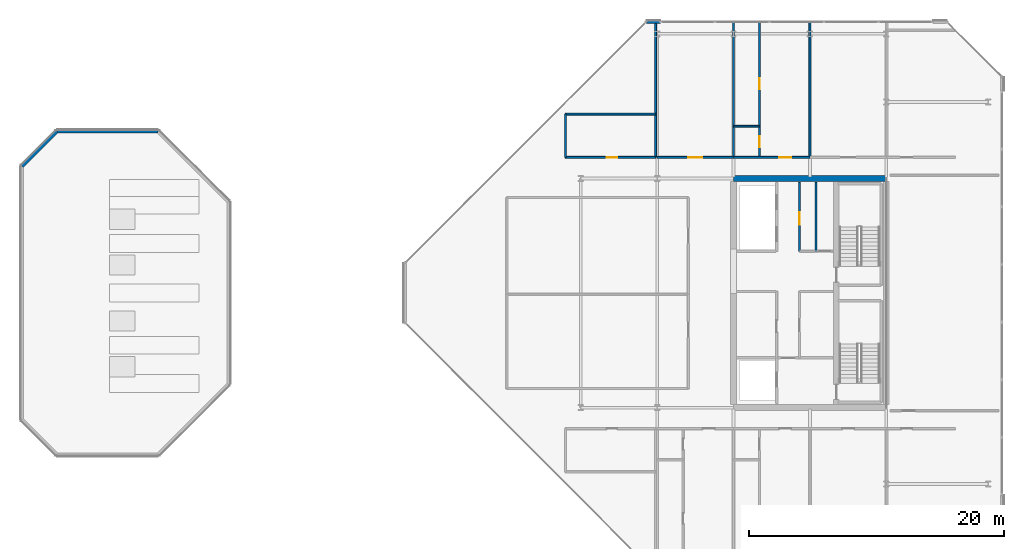
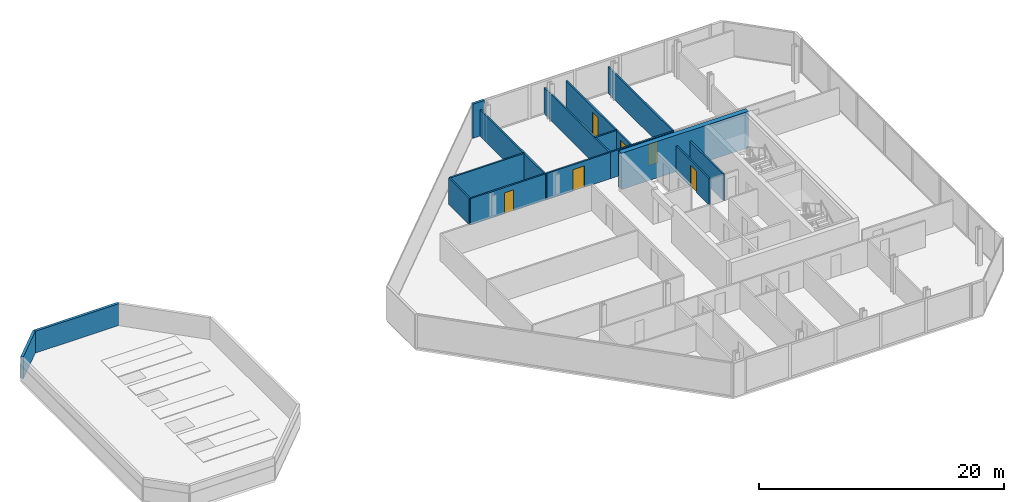
# One storey, part 16 of 19: 16 walls, 6 doors, 6 openings.
"""IFC4 building model written with IfcOpenShell, lengths in metres."""

from ifc_helpers import new_model, si_unit, direction, frame, frame_2d, origin, place, context, subcontext, project, spatial, rectangle, extrude, material, layer, layer_set, type_object, element, fill, save


model = new_model("IFC4")

# Units and contexts
model_context = context("Model", 3, precision=1e-05, world=origin(), true_north=direction((0.0, 1.0)))
body_context = subcontext(model_context, "Body", "Model", "MODEL_VIEW")
ifc_project = project(units=[si_unit("LENGTHUNIT", "METRE"), si_unit("AREAUNIT", "SQUARE_METRE"), si_unit("VOLUMEUNIT", "CUBIC_METRE"), si_unit("PLANEANGLEUNIT", "RADIAN"), si_unit("MASSUNIT", "GRAM", prefix="KILO")], contexts=[model_context])

# Site, building, storey
site_placement = place(None, origin())
site = spatial("IfcSite", under=ifc_project, at=site_placement, CompositionType="ELEMENT")
building_placement = place(site_placement, origin())
building = spatial("IfcBuilding", under=site, at=building_placement, Name="Tanjung Sevakor Pilgrim Tower", CompositionType="ELEMENT")
storey_placement = place(building_placement, frame((0.0, 0.0, 260.699951171875)))
storey = spatial("IfcBuildingStorey", under=building, at=storey_placement, Name="L73", CompositionType="ELEMENT", Elevation=260.699951171875)

# Walls
ifc_material_1 = material(Name="Concrete C60/75", Category="concrete")
ifc_layer_1 = layer(ifc_material_1, 0.449951171875)
ifc_layer_set_1 = layer_set([ifc_layer_1], Name="WALL-CW-450")
wall_type_1 = type_object("IfcWallType", Name="WALL-CW-450", PredefinedType="SHEAR", material=ifc_layer_set_1)
wall_1_placement = place(storey_placement, frame((90.0, 42.60009765625, 0.0), z_axis=(0.0, 0.0, 1.0), x_axis=(-1.0, 0.0, 0.0)))
element("IfcWall", 1, at=wall_1_placement, inside=storey, type_object=wall_type_1, Name="L73 E Core North Shear Wall", PredefinedType="SHEAR", context=body_context, shape_type="SweptSolid", body=[
    extrude(rectangle(XDim=12.0, YDim=0.449951171875, at=frame_2d((6.0, 0.0))), origin(), (0.0, 0.0, 1.0), 3.630126953125),
])
ifc_material_2 = material(Name="Concrete C40/50", Category="concrete")
ifc_layer_2 = layer(ifc_material_2, 0.14990234375)
ifc_layer_set_2 = layer_set([ifc_layer_2], Name="WT-COMP-150")
wall_type_2 = type_object("IfcWallType", Name="WT-COMP-150", PredefinedType="SOLIDWALL", material=ifc_layer_set_2)
wall_2_placement = place(storey_placement, frame((84.47998046875, 36.8798828125, 0.0), z_axis=(0.0, 0.0, 1.0), x_axis=(0.0, 1.0, 0.0)))
element("IfcWall", 2, at=wall_2_placement, inside=storey, type_object=wall_type_2, Name="L73 Partition IW-L73-007", PredefinedType="SOLIDWALL", context=body_context, shape_type="SweptSolid", body=[
    extrude(rectangle(XDim=5.420166015625, YDim=0.14990234375, at=frame_2d((2.7099609375, 0.0))), origin(), (0.0, 0.0, 1.0), 2.6298828125),
])

# Wall, opening, door
wall_3_placement = place(storey_placement, frame((83.179931640625, 36.8798828125, 0.0), z_axis=(0.0, 0.0, 1.0), x_axis=(0.0, 1.0, 0.0)))
wall_3 = element("IfcWall", 3, at=wall_3_placement, inside=storey, type_object=wall_type_2, Name="L73 Partition IW-L73-010", PredefinedType="SOLIDWALL", context=body_context, shape_type="SweptSolid", body=[
    extrude(rectangle(XDim=5.420166015625, YDim=0.14990234375, at=frame_2d((2.7099609375, 0.0))), origin(), (0.0, 0.0, 1.0), 2.6298828125),
])
opening_1_placement = place(wall_3_placement, frame((2.10009765625, 0.0, 0.0)))
opening_1 = element("IfcOpeningElement", 4, at=opening_1_placement, cuts=wall_3, Name="Opening ID-FD2", PredefinedType="OPENING", context=body_context, shape_type="SweptSolid", body=[
    extrude(rectangle(XDim=0.949951171875, YDim=2.14990234375, at=frame_2d((0.47509765625, 1.074951171875))), frame((0.0, 0.0849609375, 0.0), z_axis=(0.0, -1.0, 0.0), x_axis=(1.0, 0.0, 0.0)), (0.0, 0.0, 1.0), 0.169921875),
])
ifc_material_3 = material(Name="Fire-Rated Timber", Category="wood")
door_type_1 = type_object("IfcDoorType", Name="DT-FIRE-950", OperationType="NOTDEFINED", PredefinedType="DOOR", material=ifc_material_3)
door_1_placement = place(opening_1_placement, origin())
door_1 = element("IfcDoor", 5, at=door_1_placement, inside=storey, type_object=door_type_1, Name="L73 Core Reading Room Door", OperationType="SINGLE_SWING_RIGHT", OverallHeight=2.14990234375, OverallWidth=0.949951171875, PredefinedType="DOOR", context=body_context, shape_type="SweptSolid", body=[
    extrude(rectangle(XDim=0.949951171875, YDim=2.14990234375, at=frame_2d((0.47509765625, 1.074951171875))), frame((0.0, 0.02490234375, 0.0), z_axis=(0.0, -1.0, 0.0), x_axis=(1.0, 0.0, 0.0)), (0.0, 0.0, 1.0), 0.050048828125),
])
fill(opening_1, door_1)

wall_4_placement = place(storey_placement, frame((64.800048828125, 44.25, 0.0), z_axis=(0.0, 0.0, 1.0), x_axis=(1.0, 0.0, 0.0)))
wall_4 = element("IfcWall", 6, at=wall_4_placement, inside=storey, type_object=wall_type_2, Name="L73 Partition IW-L73-017", PredefinedType="SOLIDWALL", context=body_context, shape_type="SweptSolid", body=[
    extrude(rectangle(XDim=7.079833984375, YDim=0.14990234375, at=frame_2d((3.5400390625, 0.0))), origin(), (0.0, 0.0, 1.0), 2.6298828125),
])
opening_2_placement = place(wall_4_placement, frame((3.22509765625, 0.0, 0.0)))
opening_2 = element("IfcOpeningElement", 7, at=opening_2_placement, cuts=wall_4, Name="Opening ID-WC1", PredefinedType="OPENING", context=body_context, shape_type="SweptSolid", body=[
    extrude(rectangle(XDim=0.85009765625, YDim=2.10009765625, at=frame_2d((0.425048828125, 1.050048828125))), frame((0.0, 0.0849609375, 0.0), z_axis=(0.0, -1.0, 0.0), x_axis=(1.0, 0.0, 0.0)), (0.0, 0.0, 1.0), 0.169921875),
])
ifc_material_4 = material(Name="Moisture-Resistant Timber", Category="wood")
door_type_2 = type_object("IfcDoorType", Name="DT-INT-850", OperationType="NOTDEFINED", PredefinedType="DOOR", material=ifc_material_4)
door_2_placement = place(opening_2_placement, origin())
door_2 = element("IfcDoor", 8, at=door_2_placement, inside=storey, type_object=door_type_2, Name="L73 NW Crown Library Door", OperationType="SINGLE_SWING_RIGHT", OverallHeight=2.10009765625, OverallWidth=0.85009765625, PredefinedType="DOOR", context=body_context, shape_type="SweptSolid", body=[
    extrude(rectangle(XDim=0.85009765625, YDim=2.10009765625, at=frame_2d((0.425048828125, 1.050048828125))), frame((0.0, 0.02490234375, 0.0), z_axis=(0.0, -1.0, 0.0), x_axis=(1.0, 0.0, 0.0)), (0.0, 0.0, 1.0), 0.050048828125),
])
fill(opening_2, door_2)

# Walls
wall_5_placement = place(storey_placement, frame((64.800048828125, 47.64990234375, 0.0), z_axis=(0.0, 0.0, 1.0), x_axis=(1.0, 0.0, 0.0)))
element("IfcWall", 9, at=wall_5_placement, inside=storey, type_object=wall_type_2, Name="L73 Partition IW-L73-018", PredefinedType="SOLIDWALL", context=body_context, shape_type="SweptSolid", body=[
    extrude(rectangle(XDim=7.079833984375, YDim=0.14990234375, at=frame_2d((3.5400390625, 0.0))), origin(), (0.0, 0.0, 1.0), 2.6298828125),
])
wall_6_placement = place(storey_placement, frame((64.800048828125, 44.25, 0.0), z_axis=(0.0, 0.0, 1.0), x_axis=(0.0, 1.0, 0.0)))
element("IfcWall", 10, at=wall_6_placement, inside=storey, type_object=wall_type_2, Name="L73 Partition IW-L73-019", PredefinedType="SOLIDWALL", context=body_context, shape_type="SweptSolid", body=[
    extrude(rectangle(XDim=3.39990234375, YDim=0.14990234375, at=frame_2d((1.699951171875, 0.0))), origin(), (0.0, 0.0, 1.0), 2.6298828125),
])
for number, where, z_axis, x_axis, name in (
    (11, (71.8798828125, 44.25, 0.0), (0.0, 0.0, 1.0), (0.0, 1.0, 0.0), "L73 Partition IW-L73-020"),
    (12, (78.0, 44.25, 0.0), (0.0, 0.0, 1.0), (0.0, 1.0, 0.0), "L73 Partition IW-L73-038"),
):
    element("IfcWall", number, at=place(storey_placement, frame(where, z_axis=z_axis, x_axis=x_axis)), inside=storey, type_object=wall_type_2, Name=name, PredefinedType="SOLIDWALL", context=body_context, shape_type="SweptSolid", body=[
        extrude(rectangle(XDim=10.610107421875, YDim=0.14990234375, at=frame_2d((5.30517578125, 0.0))), origin(), (0.0, 0.0, 1.0), 2.6298828125),
    ])

# Wall, opening, door
wall_7_placement = place(storey_placement, frame((72.0, 44.25, 0.0), z_axis=(0.0, 0.0, 1.0), x_axis=(1.0, 0.0, 0.0)))
wall_7 = element("IfcWall", 13, at=wall_7_placement, inside=storey, type_object=wall_type_2, Name="L73 Partition IW-L73-039", PredefinedType="SOLIDWALL", context=body_context, shape_type="SweptSolid", body=[
    extrude(rectangle(XDim=6.0, YDim=0.14990234375, at=frame_2d((3.0, 0.0))), origin(), (0.0, 0.0, 1.0), 2.6298828125),
])
opening_3_placement = place(wall_7_placement, frame((2.449951171875, 0.0, 0.0)))
opening_3 = element("IfcOpeningElement", 14, at=opening_3_placement, cuts=wall_7, Name="Opening ID-FD0", PredefinedType="OPENING", context=body_context, shape_type="SweptSolid", body=[
    extrude(rectangle(XDim=1.10009765625, YDim=2.14990234375, at=frame_2d((0.550048828125, 1.074951171875))), frame((0.0, 0.0849609375, 0.0), z_axis=(0.0, -1.0, 0.0), x_axis=(1.0, 0.0, 0.0)), (0.0, 0.0, 1.0), 0.169921875),
])
ifc_material_5 = material(Name="Fire-Rated Steel S355J2", Category="steel")
door_type_3 = type_object("IfcDoorType", Name="DT-FIRE-1100", OperationType="NOTDEFINED", PredefinedType="DOOR", material=ifc_material_5)
door_3_placement = place(opening_3_placement, origin())
door_3 = element("IfcDoor", 15, at=door_3_placement, inside=storey, type_object=door_type_3, Name="Observatory Door", OperationType="SINGLE_SWING_LEFT", OverallHeight=2.14990234375, OverallWidth=1.10009765625, PredefinedType="DOOR", context=body_context, shape_type="SweptSolid", body=[
    extrude(rectangle(XDim=1.10009765625, YDim=2.14990234375, at=frame_2d((0.550048828125, 1.074951171875))), frame((0.0, 0.02490234375, 0.0), z_axis=(0.0, -1.0, 0.0), x_axis=(1.0, 0.0, 0.0)), (0.0, 0.0, 1.0), 0.050048828125),
])
fill(opening_3, door_3)

# Wall
wall_8_placement = place(storey_placement, frame((84.0, 44.25, 0.0), z_axis=(0.0, 0.0, 1.0), x_axis=(0.0, 1.0, 0.0)))
element("IfcWall", 16, at=wall_8_placement, inside=storey, type_object=wall_type_2, Name="L73 Partition IW-L73-040", PredefinedType="SOLIDWALL", context=body_context, shape_type="SweptSolid", body=[
    extrude(rectangle(XDim=10.610107421875, YDim=0.14990234375, at=frame_2d((5.30517578125, 0.0))), origin(), (0.0, 0.0, 1.0), 2.6298828125),
])

# Wall, opening, door
wall_9_placement = place(storey_placement, frame((78.0, 44.25, 0.0), z_axis=(0.0, 0.0, 1.0), x_axis=(1.0, 0.0, 0.0)))
wall_9 = element("IfcWall", 17, at=wall_9_placement, inside=storey, type_object=wall_type_2, Name="L73 Partition IW-L73-043", PredefinedType="SOLIDWALL", context=body_context, shape_type="SweptSolid", body=[
    extrude(rectangle(XDim=6.0, YDim=0.14990234375, at=frame_2d((3.0, 0.0))), origin(), (0.0, 0.0, 1.0), 2.6298828125),
])
opening_4_placement = place(wall_9_placement, frame((3.5849609375, 0.0, 0.0)))
opening_4 = element("IfcOpeningElement", 18, at=opening_4_placement, cuts=wall_9, Name="Opening ID-FD2", PredefinedType="OPENING", context=body_context, shape_type="SweptSolid", body=[
    extrude(rectangle(XDim=0.949951171875, YDim=2.14990234375, at=frame_2d((0.47509765625, 1.074951171875))), frame((0.0, 0.0849609375, 0.0), z_axis=(0.0, -1.0, 0.0), x_axis=(1.0, 0.0, 0.0)), (0.0, 0.0, 1.0), 0.169921875),
])
door_4_placement = place(opening_4_placement, origin())
door_4 = element("IfcDoor", 19, at=door_4_placement, inside=storey, type_object=door_type_1, Name="Hotel Guestroom Entrance", OperationType="SINGLE_SWING_RIGHT", OverallHeight=2.14990234375, OverallWidth=0.949951171875, PredefinedType="DOOR", context=body_context, shape_type="SweptSolid", body=[
    extrude(rectangle(XDim=0.949951171875, YDim=2.14990234375, at=frame_2d((0.47509765625, 1.074951171875))), frame((0.0, 0.02490234375, 0.0), z_axis=(0.0, -1.0, 0.0), x_axis=(1.0, 0.0, 0.0)), (0.0, 0.0, 1.0), 0.050048828125),
])
fill(opening_4, door_4)

# Walls
ifc_material_6 = material(Name="Precast concrete C45/55", Category="concrete")
ifc_layer_3 = layer(ifc_material_6, 0.239990234375)
ifc_layer_set_3 = layer_set([ifc_layer_3], Name="WT-EW-PAR1")
wall_type_3 = type_object("IfcWallType", Name="WT-EW-PAR1", PredefinedType="PARAPET", material=ifc_layer_set_3)
wall_10_placement = place(storey_placement, frame((32.80029296875, 46.280029296875, 0.0), z_axis=(0.0, 0.0, 1.0), x_axis=(-1.0, 0.0, 0.0)))
element("IfcWall", 20, at=wall_10_placement, inside=storey, type_object=wall_type_3, Name="West Peak Roof Parapet 5", PredefinedType="PARAPET", context=body_context, shape_type="SweptSolid", body=[
    extrude(rectangle(XDim=7.95068359375, YDim=0.239990234375, at=frame_2d((3.975341796875, 0.0))), origin(), (0.0, 0.0, 1.0), 2.179931640625),
])
wall_11_placement = place(storey_placement, frame((24.849609375, 46.280029296875, 0.0), z_axis=(0.0, 0.0, 1.0), x_axis=(-0.707075158156, -0.707138402803, 0.0)))
element("IfcWall", 21, at=wall_11_placement, inside=storey, type_object=wall_type_3, Name="West Peak Roof Parapet 6", PredefinedType="PARAPET", context=body_context, shape_type="SweptSolid", body=[
    extrude(rectangle(XDim=3.8603515625, YDim=0.239990234375, at=frame_2d((1.93017578125, 0.0))), origin(), (0.0, 0.0, 1.0), 2.179931640625),
])
ifc_material_7 = material(Name="Precast concrete C45/55", Category="concrete")
ifc_layer_4 = layer(ifc_material_7, 0.219970703125)
ifc_layer_set_4 = layer_set([ifc_layer_4], Name="WT-EW-STN4")
wall_type_4 = type_object("IfcWallType", Name="WT-EW-STN4", PredefinedType="SOLIDWALL", material=ifc_layer_set_4)
wall_12_placement = place(storey_placement, frame((72.24560546875, 54.889892578125, 0.0), z_axis=(0.0, 0.0, 1.0), x_axis=(-1.0, 0.0, 0.0)))
element("IfcWall", 22, at=wall_12_placement, inside=storey, type_object=wall_type_4, Name="L73 EAST Crown Pier 4-1B", PredefinedType="SOLIDWALL", context=body_context, shape_type="SweptSolid", body=[
    extrude(rectangle(XDim=1.10009765625, YDim=0.219970703125, at=frame_2d((0.550048828125, 0.0))), origin(), (0.0, 0.0, 1.0), 3.409912109375),
])
ifc_material_8 = material(Name="Gypsum Board Partition", Category="gypsum board")
ifc_layer_5 = layer(ifc_material_8, 0.14990234375)
ifc_layer_set_5 = layer_set([ifc_layer_5], Name="WT-PART-150")
wall_type_5 = type_object("IfcWallType", Name="WT-PART-150", PredefinedType="PARTITIONING", material=ifc_layer_set_5)
wall_13_placement = place(storey_placement, frame((78.0, 46.699951171875, 0.0), z_axis=(0.0, 0.0, 1.0), x_axis=(1.0, 0.0, 0.0)))
element("IfcWall", 23, at=wall_13_placement, inside=storey, type_object=wall_type_5, Name="L73 Partition IW-L73-041", PredefinedType="PARTITIONING", context=body_context, shape_type="SweptSolid", body=[
    extrude(rectangle(XDim=2.0400390625, YDim=0.14990234375, at=frame_2d((1.02001953125, 0.0))), origin(), (0.0, 0.0, 1.0), 2.6298828125),
])

# Wall, openings, doors
wall_14_placement = place(storey_placement, frame((80.0400390625, 44.25, 0.0), z_axis=(0.0, 0.0, 1.0), x_axis=(0.0, 1.0, 0.0)))
wall_14 = element("IfcWall", 24, at=wall_14_placement, inside=storey, type_object=wall_type_5, Name="L73 Partition IW-L73-042", PredefinedType="PARTITIONING", context=body_context, shape_type="SweptSolid", body=[
    extrude(rectangle(XDim=10.610107421875, YDim=0.14990234375, at=frame_2d((5.30517578125, 0.0))), origin(), (0.0, 0.0, 1.0), 2.6298828125),
])
opening_5_placement = place(wall_14_placement, frame((0.800048828125, 0.0, 0.0)))
opening_5 = element("IfcOpeningElement", 25, at=opening_5_placement, cuts=wall_14, Name="Opening ID-WC1", PredefinedType="OPENING", context=body_context, shape_type="SweptSolid", body=[
    extrude(rectangle(XDim=0.85009765625, YDim=2.10009765625, at=frame_2d((0.425048828125, 1.050048828125))), frame((0.0, 0.0849609375, 0.0), z_axis=(0.0, -1.0, 0.0), x_axis=(1.0, 0.0, 0.0)), (0.0, 0.0, 1.0), 0.169921875),
])
opening_6_placement = place(wall_14_placement, frame((5.3740234375, 0.0, 0.0)))
opening_6 = element("IfcOpeningElement", 26, at=opening_6_placement, cuts=wall_14, Name="Opening ID-WC1", PredefinedType="OPENING", context=body_context, shape_type="SweptSolid", body=[
    extrude(rectangle(XDim=0.85009765625, YDim=2.10009765625, at=frame_2d((0.425048828125, 1.050048828125))), frame((0.0, 0.0849609375, 0.0), z_axis=(0.0, -1.0, 0.0), x_axis=(1.0, 0.0, 0.0)), (0.0, 0.0, 1.0), 0.169921875),
])
door_5_placement = place(opening_5_placement, origin())
door_5 = element("IfcDoor", 27, at=door_5_placement, inside=storey, type_object=door_type_2, Name="Bathroom Door", OperationType="SINGLE_SWING_RIGHT", OverallHeight=2.10009765625, OverallWidth=0.85009765625, PredefinedType="DOOR", context=body_context, shape_type="SweptSolid", body=[
    extrude(rectangle(XDim=0.85009765625, YDim=2.10009765625, at=frame_2d((0.425048828125, 1.050048828125))), frame((0.0, 0.02490234375, 0.0), z_axis=(0.0, -1.0, 0.0), x_axis=(1.0, 0.0, 0.0)), (0.0, 0.0, 1.0), 0.050048828125),
])
fill(opening_5, door_5)
door_6_placement = place(opening_6_placement, origin())
door_6 = element("IfcDoor", 28, at=door_6_placement, inside=storey, type_object=door_type_2, Name="Study Nook Door", OperationType="SINGLE_SWING_LEFT", OverallHeight=2.10009765625, OverallWidth=0.85009765625, PredefinedType="DOOR", context=body_context, shape_type="SweptSolid", body=[
    extrude(rectangle(XDim=0.85009765625, YDim=2.10009765625, at=frame_2d((0.425048828125, 1.050048828125))), frame((0.0, 0.02490234375, 0.0), z_axis=(0.0, -1.0, 0.0), x_axis=(1.0, 0.0, 0.0)), (0.0, 0.0, 1.0), 0.050048828125),
])
fill(opening_6, door_6)

save(model, "model.ifc")
